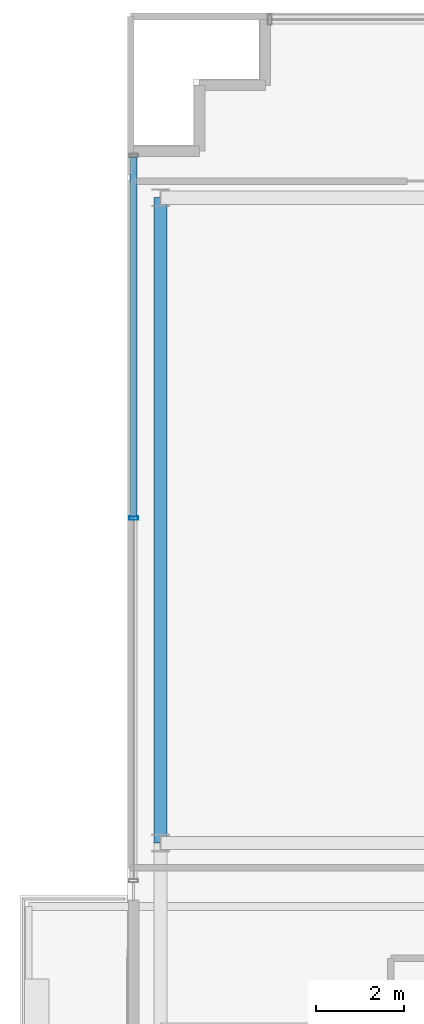
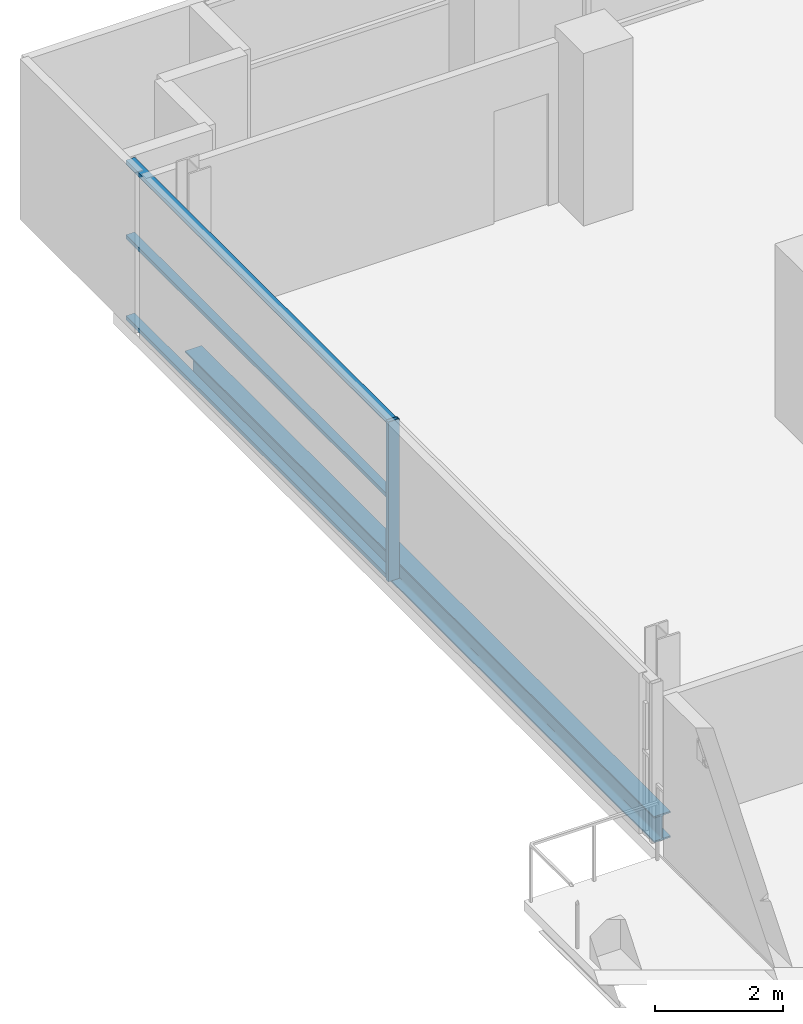
# One storey, part 8 of 27: 4 members, 1 beam, 1 element without a shape of its own.
"""IFC4 building model written with IfcOpenShell, lengths in metres."""

import ifcopenshell
import ifcopenshell.guid

model = None  # the IFC model being written
_history = None  # IfcOwnerHistory: only IFC2X3 demands one
_inside = {}  # id of a spatial element -> (the spatial element, [elements in it])
_under = {}  # id of a project, library or spatial element -> (it, [spatial elements below it])
_declared = {}  # id of a project -> (the project, [libraries it declares])
_typed = {}  # id of a type object -> (the type object, [elements of that type])
_made_of = {}  # id of a material, layer set ... -> (it, [elements and type objects made of it])


def new_model(schema):
    """Start an empty IFC model of exactly this schema.

    Asked for "IFC4X3", IfcOpenShell would pick the latest addendum, in which some entities
    have other attributes; the version numbers below select the first issue.
    IFC2X3 requires an IfcOwnerHistory on every rooted entity: one is made here for all.
    """
    global model, _history
    if schema == "IFC4X3":
        model = ifcopenshell.file(schema_version=(4, 3, 0, 0))
    else:
        model = ifcopenshell.file(schema=schema)
    _inside.clear()
    _under.clear()
    _declared.clear()
    _typed.clear()
    _made_of.clear()
    _history = None
    if model.schema == "IFC2X3":
        org = make("IfcOrganization", Name="unknown")
        user = make(
            "IfcPersonAndOrganization",
            ThePerson=make("IfcPerson", FamilyName="unknown"),
            TheOrganization=org,
        )
        app = make(
            "IfcApplication",
            ApplicationDeveloper=org,
            Version="unknown",
            ApplicationFullName="unknown",
            ApplicationIdentifier="unknown",
        )
        _history = make(
            "IfcOwnerHistory",
            OwningUser=user,
            OwningApplication=app,
            ChangeAction="ADDED",
            CreationDate=0,
        )
    return model


def make(cls, **values):
    """One entity of the class cls with the attributes given. An attribute that is None is left unset."""
    return model.create_entity(
        cls, **{name: value for name, value in values.items() if value is not None}
    )


def rooted(cls, **values):
    """An entity with a GlobalId (a new one), such as an element, a storey or a relation."""
    return make(cls, GlobalId=ifcopenshell.guid.new(), OwnerHistory=_history, **values)


def si_unit(unit_type, name, prefix=None):
    """IfcSIUnit, for example si_unit("LENGTHUNIT", "METRE", prefix="MILLI")."""
    return make("IfcSIUnit", UnitType=unit_type, Prefix=prefix, Name=name)


def assignment(units):
    """IfcUnitAssignment: the units of a project."""
    return None if units is None else make("IfcUnitAssignment", Units=units)


def point(xyz):
    """IfcCartesianPoint."""
    return None if xyz is None else make("IfcCartesianPoint", Coordinates=xyz)


def direction(xyz):
    """IfcDirection."""
    return None if xyz is None else make("IfcDirection", DirectionRatios=xyz)


def frame(location, z_axis=None, x_axis=None):
    """IfcAxis2Placement3D, a coordinate frame: its origin and axes. An axis left out is left unset."""
    return make(
        "IfcAxis2Placement3D",
        Location=point(location),
        Axis=direction(z_axis),
        RefDirection=direction(x_axis),
    )


def frame_2d(location, x_axis=None):
    """IfcAxis2Placement2D, a coordinate frame in the plane: its origin and x axis."""
    return make(
        "IfcAxis2Placement2D", Location=point(location), RefDirection=direction(x_axis)
    )


def origin():
    """The frame at (0, 0, 0) with its axes left unset."""
    return frame((0.0, 0.0, 0.0))


def origin_2d():
    """The frame at (0, 0) in the plane with its x axis left unset."""
    return frame_2d((0.0, 0.0))


def place(relative_to, where):
    """IfcLocalPlacement: puts the frame where relative to a parent placement (None: the world)."""
    return make(
        "IfcLocalPlacement", PlacementRelTo=relative_to, RelativePlacement=where
    )


def context(
    kind, dimensions, precision=None, world=None, true_north=None, identifier=None
):
    """IfcGeometricRepresentationContext, for example the 3D "Model" context."""
    return make(
        "IfcGeometricRepresentationContext",
        ContextIdentifier=identifier,
        ContextType=kind,
        CoordinateSpaceDimension=dimensions,
        Precision=precision,
        WorldCoordinateSystem=world,
        TrueNorth=true_north,
    )


def subcontext(parent, identifier, kind, view, scale=None):
    """IfcGeometricRepresentationSubContext, for example "Body" below "Model"."""
    return make(
        "IfcGeometricRepresentationSubContext",
        ContextIdentifier=identifier,
        ContextType=kind,
        ParentContext=parent,
        TargetScale=scale,
        TargetView=view,
    )


def project(units=None, contexts=None):
    """IfcProject with its units and contexts."""
    return rooted(
        "IfcProject",
        Name="project",
        RepresentationContexts=contexts,
        UnitsInContext=assignment(units),
    )


def spatial(cls, under=None, at=None, **own):
    """A site, building, storey or space (cls), placed at a placement, below another one or the project."""
    s = rooted(cls, ObjectPlacement=at, **own)
    if under is not None:
        _under.setdefault(under.id(), (under, []))[1].append(s)
    return s


def profile(cls, at=None, kind="AREA", **sizes):
    """A parametric profile (cls). Its sizes go by their IFC names, for example OverallWidth=200.0."""
    return make(cls, ProfileType=kind, Position=at, **sizes)


def hollow_rectangle(**sizes):
    """IfcRectangleHollowProfileDef."""
    return profile("IfcRectangleHollowProfileDef", **sizes)


def i_section(**sizes):
    """IfcIShapeProfileDef."""
    return profile("IfcIShapeProfileDef", **sizes)


def extrude(swept, where, along, depth):
    """IfcExtrudedAreaSolid: the profile swept, set in the frame where, extruded along a direction by depth."""
    return make(
        "IfcExtrudedAreaSolid",
        SweptArea=swept,
        Position=where,
        ExtrudedDirection=direction(along),
        Depth=depth,
    )


def shape(context_of_items, identifier, shape_type, items):
    """IfcShapeRepresentation: the items that make up one representation, for example the "Body"."""
    return make(
        "IfcShapeRepresentation",
        ContextOfItems=context_of_items,
        RepresentationIdentifier=identifier,
        RepresentationType=shape_type,
        Items=items,
    )


def source(mapping_origin, context_of_items, identifier, shape_type, items):
    """IfcRepresentationMap: a shape defined once, which mapped items show again and again."""
    return make(
        "IfcRepresentationMap",
        MappingOrigin=mapping_origin,
        MappedRepresentation=shape(context_of_items, identifier, shape_type, items),
    )


def transform(
    local_origin,
    x_axis=None,
    y_axis=None,
    z_axis=None,
    scale=None,
    scale2=None,
    scale3=None,
    uniform=True,
):
    """IfcCartesianTransformationOperator3D, or its non-uniform kind. x_axis, y_axis, z_axis: its Axis1, 2, 3."""
    if uniform:
        return make(
            "IfcCartesianTransformationOperator3D",
            Axis1=direction(x_axis),
            Axis2=direction(y_axis),
            LocalOrigin=point(local_origin),
            Scale=scale,
            Axis3=direction(z_axis),
        )
    return make(
        "IfcCartesianTransformationOperator3DnonUniform",
        Axis1=direction(x_axis),
        Axis2=direction(y_axis),
        LocalOrigin=point(local_origin),
        Scale=scale,
        Axis3=direction(z_axis),
        Scale2=scale2,
        Scale3=scale3,
    )


def mapped(mapping_source, mapping_target):
    """IfcMappedItem: shows the shape of a source again, moved by a transform."""
    return make(
        "IfcMappedItem", MappingSource=mapping_source, MappingTarget=mapping_target
    )


def material(Name=None, Category=None):
    """IfcMaterial."""
    return make("IfcMaterial", Name=Name, Category=Category)


def layer(
    of_material, thickness, ventilated=None, Name=None, Category=None, Priority=None
):
    """IfcMaterialLayer: one layer of a wall or slab, of a material (None: an air gap)."""
    return make(
        "IfcMaterialLayer",
        Material=of_material,
        LayerThickness=thickness,
        IsVentilated=ventilated,
        Name=Name,
        Category=Category,
        Priority=Priority,
    )


def layer_set(layers, Name=None):
    """IfcMaterialLayerSet."""
    return make("IfcMaterialLayerSet", MaterialLayers=layers, LayerSetName=Name)


def material_profile(
    of_material, cross_section, Name=None, Category=None, Priority=None
):
    """IfcMaterialProfile: a cross section and its material."""
    return make(
        "IfcMaterialProfile",
        Name=Name,
        Material=of_material,
        Profile=cross_section,
        Priority=Priority,
        Category=Category,
    )


def profile_set(profiles, Name=None, composite=None):
    """IfcMaterialProfileSet."""
    return make(
        "IfcMaterialProfileSet",
        Name=Name,
        MaterialProfiles=profiles,
        CompositeProfile=composite,
    )


def made_of(thing, what):
    """Note that an element or type object is made of a material, layer set ...; save() writes the relation."""
    if what is not None:
        _made_of.setdefault(what.id(), (what, []))[1].append(thing)
    return thing


def type_object(cls, material=None, **own):
    """A type object (cls), such as IfcWallType, which elements share."""
    return made_of(rooted(cls, **own), material)


def element(
    cls,
    number,
    at=None,
    inside=None,
    cuts=None,
    type_object=None,
    material=None,
    context=None,
    identifier="Body",
    shape_type=None,
    held_by="IfcProductDefinitionShape",
    body=None,
    shapes=None,
    **own,
):
    """One element of the class cls, such as IfcWall. Its Tag is "e" and its number.

    at: its placement. inside: the storey or other place that contains it. cuts: it is an
    opening in that element (IfcRelVoidsElement). A single representation is given by context,
    identifier, shape_type and body (its items); several are given by shapes. held_by: the class
    of the entity that holds the representations. save() writes the other relations.
    """
    e = rooted(cls, Tag="e%d" % number, ObjectPlacement=at, **own)
    if body is not None:
        shapes = [shape(context, identifier, shape_type, body)]
    if shapes is not None:
        e.Representation = make(held_by, Representations=shapes)
    if inside is not None:
        _inside.setdefault(inside.id(), (inside, []))[1].append(e)
    if cuts is not None:
        rooted(
            "IfcRelVoidsElement", RelatingBuildingElement=cuts, RelatedOpeningElement=e
        )
    if type_object is not None:
        _typed.setdefault(type_object.id(), (type_object, []))[1].append(e)
    return made_of(e, material)


def aggregate(whole, parts):
    """IfcRelAggregates: a whole, such as a stair, and the parts it consists of."""
    return rooted("IfcRelAggregates", RelatingObject=whole, RelatedObjects=parts)


def save(model, path):
    """Write the relations noted so far, then the file.

    IfcRelAggregates (storeys below a building ...), IfcRelContainedInSpatialStructure (elements
    in a storey), IfcRelDefinesByType, IfcRelAssociatesMaterial and IfcRelDeclares: one each for
    every whole, place, type object, material and project.
    """
    for whole, parts in _under.values():
        aggregate(whole, parts)
    for where, things in _inside.values():
        rooted(
            "IfcRelContainedInSpatialStructure",
            RelatedElements=things,
            RelatingStructure=where,
        )
    for kind, things in _typed.values():
        rooted("IfcRelDefinesByType", RelatedObjects=things, RelatingType=kind)
    for what, things in _made_of.values():
        rooted("IfcRelAssociatesMaterial", RelatedObjects=things, RelatingMaterial=what)
    for by, libraries in _declared.values():
        rooted("IfcRelDeclares", RelatingContext=by, RelatedDefinitions=libraries)
    model.write(path)


model = new_model("IFC4")

# Units and contexts
model_context = context("Model", 3, precision=1e-05, world=origin(), true_north=direction((0.0, 1.0)))
body_context = subcontext(model_context, "Body", "Model", "MODEL_VIEW")
ifc_project = project(units=[si_unit("LENGTHUNIT", "METRE"), si_unit("AREAUNIT", "SQUARE_METRE"), si_unit("VOLUMEUNIT", "CUBIC_METRE"), si_unit("PLANEANGLEUNIT", "RADIAN"), si_unit("MASSUNIT", "GRAM", prefix="KILO")], contexts=[model_context])

# Site, building, storey
site_placement = place(None, origin())
site = spatial("IfcSite", under=ifc_project, at=site_placement, CompositionType="ELEMENT")
building_placement = place(site_placement, origin())
building = spatial("IfcBuilding", under=site, at=building_placement, Name="Zarnakvel Exchange Tower", CompositionType="ELEMENT")
storey_placement = place(building_placement, frame((0.0, 0.0, 96.699951171875)))
storey = spatial("IfcBuildingStorey", under=building, at=storey_placement, Name="L26", CompositionType="ELEMENT", Elevation=96.699951171875)

# Beam
ifc_material_1 = material(Name="Steel S355", Category="steel")
ifc_material_profile_1 = material_profile(ifc_material_1, i_section(OverallWidth=0.300048828125, OverallDepth=0.5, WebThickness=0.014404296875, FlangeThickness=0.028076171875, FilletRadius=0.027099609375, at=origin_2d()))
ifc_profile_set_1 = profile_set([ifc_material_profile_1], Name="Steel S355")
beam_type = type_object("IfcBeamType", Name="SP-02", PredefinedType="SPANDREL", material=ifc_profile_set_1)
beam_placement = place(storey_placement, frame((-28.85009765625, -1.199951171875, -0.474853515625), z_axis=(0.0, 1.0, 0.0), x_axis=(-1.0, 0.0, 0.0)))
element("IfcBeam", 1, at=beam_placement, inside=storey, type_object=beam_type, Name="L26 Tower N-S Frame Beam", PredefinedType="SPANDREL", context=body_context, shape_type="SweptSolid", body=[
    extrude(i_section(OverallWidth=0.300048828125, OverallDepth=0.5, WebThickness=0.014404296875, FlangeThickness=0.028076171875, FilletRadius=0.027099609375, at=origin_2d()), origin(), (0.0, 0.0, 1.0), 14.699951171875),
])

# Curtain wall, members
ifc_material_2 = material(Name="Architectural Bronze Anodised Aluminium", Category="aluminium")
ifc_layer = layer(ifc_material_2, 0.199951171875)
ifc_layer_set = layer_set([ifc_layer], Name="Architectural Bronze Anodised Aluminium")
curtain_wall_type = type_object("IfcCurtainWallType", Name="CW-04", PredefinedType="NOTDEFINED", material=ifc_layer_set)
curtain_wall_placement = place(storey_placement, origin())
curtain_wall = element("IfcCurtainWall", 2, at=curtain_wall_placement, inside=storey, type_object=curtain_wall_type, Name="L26 Curtain Wall CW-L26-WN (CW-04)", PredefinedType="NOTDEFINED")
ifc_material_profile_2 = material_profile(ifc_material_2, hollow_rectangle(XDim=0.199951171875, YDim=0.074951171875, WallThickness=0.0048828125, at=origin_2d()))
ifc_profile_set_2 = profile_set([ifc_material_profile_2], Name="Architectural Bronze Anodised Aluminium")
member_type_1 = type_object("IfcMemberType", Name="CWM-04", PredefinedType="MULLION", material=ifc_profile_set_2)
shared_shape_1 = source(origin(), body_context, "Body", "SweptSolid", [
    extrude(hollow_rectangle(XDim=0.199951171875, YDim=0.074951171875, WallThickness=0.0048828125, at=origin_2d()), origin(), (0.0, 0.0, 1.0), 3.054931640625),
])
member_1_placement = place(storey_placement, frame((-29.4599609375, 6.199951171875, 0.0), z_axis=(0.0, 0.0, 1.0), x_axis=(-1.0, 0.0, 0.0)))
member_1 = element("IfcMember", 3, at=member_1_placement, type_object=member_type_1, Name="CW-04 mullion 2", PredefinedType="MULLION", context=body_context, shape_type="MappedRepresentation", body=[
    mapped(shared_shape_1, transform((0.0, 0.0, 0.0), x_axis=(1.0, 0.0, 0.0), y_axis=(0.0, 1.0, 0.0), z_axis=(0.0, 0.0, 1.0), scale=1.0)),
])
ifc_material_profile_3 = material_profile(ifc_material_2, hollow_rectangle(XDim=0.159912109375, YDim=0.074951171875, WallThickness=0.00390625, at=origin_2d()))
ifc_profile_set_3 = profile_set([ifc_material_profile_3], Name="Architectural Bronze Anodised Aluminium")
member_type_2 = type_object("IfcMemberType", Name="CWT-04", PredefinedType="USERDEFINED", material=ifc_profile_set_3)
shared_shape_2 = source(origin(), body_context, "Body", "SweptSolid", [
    extrude(hollow_rectangle(XDim=0.159912109375, YDim=0.074951171875, WallThickness=0.00390625, at=origin_2d()), origin(), (0.0, 0.0, 1.0), 8.1875),
])
member_2_placement = place(storey_placement, frame((-29.4599609375, 6.237548828125, 0.03759765625), z_axis=(0.0, 1.0, 0.0), x_axis=(-1.0, 0.0, 0.0)))
member_2 = element("IfcMember", 4, at=member_2_placement, type_object=member_type_2, Name="CW-04 transom 2.1", ObjectType="TRANSOM", PredefinedType="USERDEFINED", context=body_context, shape_type="MappedRepresentation", body=[
    mapped(shared_shape_2, transform((0.0, 0.0, 0.0), x_axis=(1.0, 0.0, 0.0), y_axis=(0.0, 1.0, 0.0), z_axis=(0.0, 0.0, 1.0), scale=1.0)),
])
member_3_placement = place(storey_placement, frame((-29.4599609375, 6.237548828125, 1.588623046875), z_axis=(0.0, 1.0, 0.0), x_axis=(-1.0, 0.0, 0.0)))
member_3 = element("IfcMember", 5, at=member_3_placement, type_object=member_type_2, Name="CW-04 transom 2.2", ObjectType="TRANSOM", PredefinedType="USERDEFINED", context=body_context, shape_type="MappedRepresentation", body=[
    mapped(shared_shape_2, transform((0.0, 0.0, 0.0), x_axis=(1.0, 0.0, 0.0), y_axis=(0.0, 1.0, 0.0), z_axis=(0.0, 0.0, 1.0), scale=1.0)),
])
member_4_placement = place(storey_placement, frame((-29.4599609375, 6.237548828125, 3.017578125), z_axis=(0.0, 1.0, 0.0), x_axis=(-1.0, 0.0, 0.0)))
member_4 = element("IfcMember", 6, at=member_4_placement, type_object=member_type_2, Name="CW-04 transom 2.3", ObjectType="TRANSOM", PredefinedType="USERDEFINED", context=body_context, shape_type="MappedRepresentation", body=[
    mapped(shared_shape_2, transform((0.0, 0.0, 0.0), x_axis=(1.0, 0.0, 0.0), y_axis=(0.0, 1.0, 0.0), z_axis=(0.0, 0.0, 1.0), scale=1.0)),
])
aggregate(curtain_wall, [member_1, member_2, member_3, member_4])

save(model, "model.ifc")
